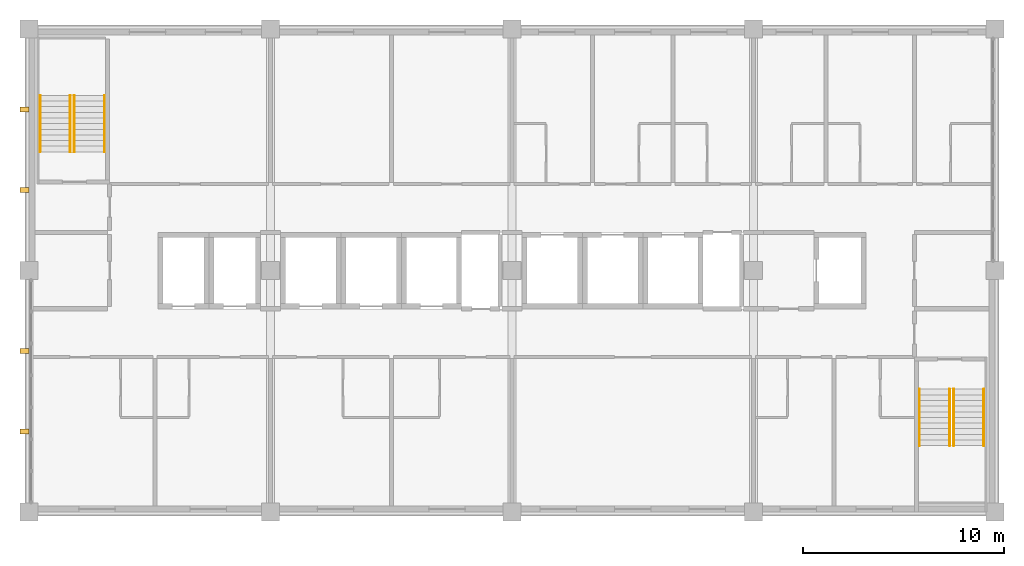
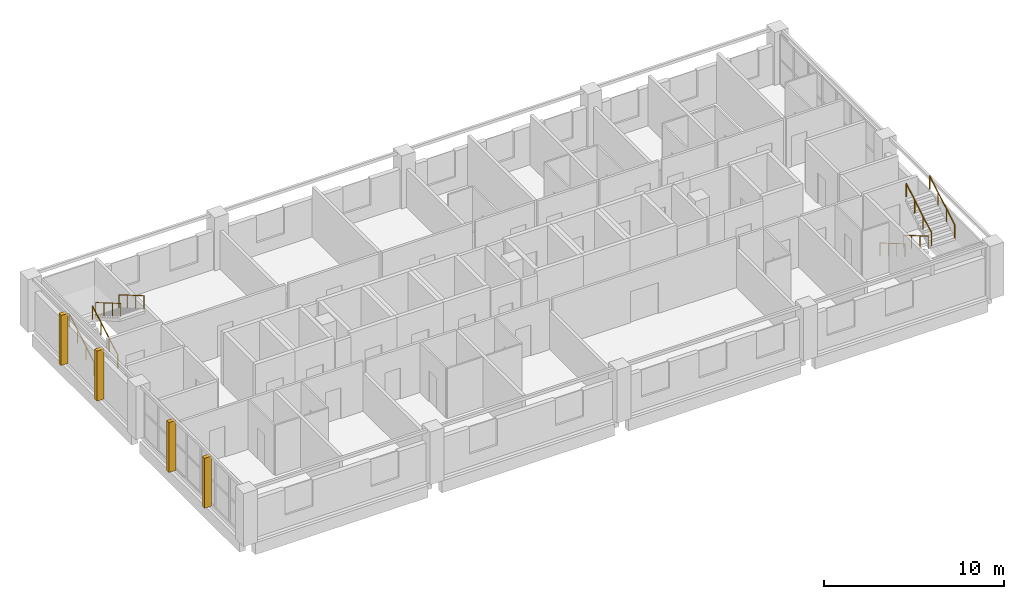
# One storey, part 11 of 11: 8 railings, 4 coverings.
"""IFC4 building model written with IfcOpenShell, lengths in metres."""

from ifc_helpers import new_model, si_unit, direction, frame, frame_2d, origin, origin_2d, place, context, subcontext, project, spatial, rectangle, circle, extrude, material, layer, layer_set, type_object, element, save


model = new_model("IFC4")

# Units and contexts
model_context = context("Model", 3, precision=1e-05, world=origin(), true_north=direction((0.0, 1.0)))
body_context = subcontext(model_context, "Body", "Model", "MODEL_VIEW")
ifc_project = project(units=[si_unit("LENGTHUNIT", "METRE"), si_unit("AREAUNIT", "SQUARE_METRE"), si_unit("VOLUMEUNIT", "CUBIC_METRE"), si_unit("PLANEANGLEUNIT", "RADIAN"), si_unit("MASSUNIT", "GRAM", prefix="KILO")], contexts=[model_context])

# Site, building, storey
site_placement = place(None, origin())
site = spatial("IfcSite", under=ifc_project, at=site_placement, CompositionType="ELEMENT")
building_placement = place(site_placement, origin())
building = spatial("IfcBuilding", under=site, at=building_placement, Name="Lilac Gate Convention Centre", CompositionType="ELEMENT")
storey_placement = place(building_placement, frame((0.0, 0.0, 31.800048828125)))
storey = spatial("IfcBuildingStorey", under=building, at=storey_placement, Name="L07", CompositionType="ELEMENT", Elevation=31.800048828125)

# Coverings
ifc_material_1 = material(Name="Concrete C40 precast", Category="concrete")
ifc_layer_1 = layer(ifc_material_1, 0.22998046875)
ifc_material_2 = material(Name="Terracotta glazed cladding", Category="masonry")
ifc_layer_2 = layer(ifc_material_2, 0.02001953125)
ifc_layer_set = layer_set([ifc_layer_1, ifc_layer_2], Name="Concrete C40 precast, Terracotta glazed cladding")
covering_type = type_object("IfcCoveringType", Name="Precast fin 250 x 450", PredefinedType="CLADDING", material=ifc_layer_set)
for number, where, z_axis, x_axis, name in (
    (1, (41.550048828125, 226.0, 0.0), (0.0, 0.0, 1.0), (1.0, 0.0, 0.0), "Precast fin west L07 226"),
    (2, (41.550048828125, 230.0, 0.0), (0.0, 0.0, 1.0), (1.0, 0.0, 0.0), "Precast fin west L07 230"),
    (3, (41.550048828125, 238.0, 0.0), (0.0, 0.0, 1.0), (1.0, 0.0, 0.0), "Precast fin west L07 238"),
    (4, (41.550048828125, 242.0, 0.0), (0.0, 0.0, 1.0), (1.0, 0.0, 0.0), "Precast fin west L07 242"),
):
    element("IfcCovering", number, at=place(storey_placement, frame(where, z_axis=z_axis, x_axis=x_axis)), inside=storey, type_object=covering_type, Name=name, PredefinedType="CLADDING", context=body_context, shape_type="SweptSolid", body=[
        extrude(rectangle(XDim=0.449951171875, YDim=0.25, at=frame_2d((0.22509765625, 0.0))), origin(), (0.0, 0.0, 1.0), 3.39990234375),
    ])

# Railings
ifc_material_3 = material(Name="Stainless steel 304", Category="steel")
railing_type = type_object("IfcRailingType", Name="Stair handrail", PredefinedType="HANDRAIL", material=ifc_material_3)
for number, where, name in (
    (5, (42.550048828125, 239.89990234375, 0.16357421875), "Handrail NW L07 flight 1"),
    (6, (44.050048828125, 239.89990234375, 0.16357421875), "Handrail NW L07 flight 1"),
):
    element("IfcRailing", number, at=place(storey_placement, frame(where)), inside=storey, type_object=railing_type, Name=name, PredefinedType="HANDRAIL", context=body_context, shape_type="SweptSolid", body=[
        extrude(circle(Radius=0.02392578125, at=origin_2d()), frame((0.0, 0.0, 0.8759765625), z_axis=(0.0, 0.863360870873, 0.504586966384), x_axis=(-1.0, 0.0, 0.0)), (0.0, 0.0, 1.0), 3.2431640625),
        extrude(circle(Radius=0.02099609375, at=origin_2d()), origin(), (0.0, 0.0, 1.0), 0.851806640625),
        extrude(circle(Radius=0.02099609375, at=origin_2d()), frame((0.0, 0.933349609375, 0.54541015625)), (0.0, 0.0, 1.0), 0.851806640625),
        extrude(circle(Radius=0.02099609375, at=origin_2d()), frame((0.0, 1.86669921875, 1.091064453125)), (0.0, 0.0, 1.0), 0.851806640625),
        extrude(circle(Radius=0.02099609375, at=origin_2d()), frame((0.0, 2.800048828125, 1.636474609375)), (0.0, 0.0, 1.0), 0.851806640625),
    ])
for number, where, name in (
    (7, (45.75, 242.699951171875, 1.963623046875), "Handrail NW L07 flight 2"),
    (8, (44.25, 242.699951171875, 1.963623046875), "Handrail NW L07 flight 2"),
):
    element("IfcRailing", number, at=place(storey_placement, frame(where)), inside=storey, type_object=railing_type, Name=name, PredefinedType="HANDRAIL", context=body_context, shape_type="SweptSolid", body=[
        extrude(circle(Radius=0.02392578125, at=origin_2d()), frame((0.0, 0.0, 0.8759765625), z_axis=(0.0, -0.863393664356, 0.504530851732), x_axis=(1.0, 0.0, 0.0)), (0.0, 0.0, 1.0), 3.2431640625),
        extrude(circle(Radius=0.02099609375, at=origin_2d()), origin(), (0.0, 0.0, 1.0), 0.851806640625),
        extrude(circle(Radius=0.02099609375, at=origin_2d()), frame((0.0, -0.933349609375, 0.54541015625)), (0.0, 0.0, 1.0), 0.851806640625),
        extrude(circle(Radius=0.02099609375, at=origin_2d()), frame((0.0, -1.86669921875, 1.0908203125)), (0.0, 0.0, 1.0), 0.851806640625),
        extrude(circle(Radius=0.02099609375, at=origin_2d()), frame((0.0, -2.800048828125, 1.63623046875)), (0.0, 0.0, 1.0), 0.851806640625),
    ])
for number, where, name in (
    (9, (87.75, 228.10009765625, 0.16357421875), "Handrail SE L07 flight 1"),
    (10, (86.25, 228.10009765625, 0.16357421875), "Handrail SE L07 flight 1"),
):
    element("IfcRailing", number, at=place(storey_placement, frame(where)), inside=storey, type_object=railing_type, Name=name, PredefinedType="HANDRAIL", context=body_context, shape_type="SweptSolid", body=[
        extrude(circle(Radius=0.02392578125, at=origin_2d()), frame((0.0, 0.0, 0.8759765625), z_axis=(0.0, -0.863360870873, 0.504586966384), x_axis=(1.0, 0.0, 0.0)), (0.0, 0.0, 1.0), 3.2431640625),
        extrude(circle(Radius=0.02099609375, at=origin_2d()), origin(), (0.0, 0.0, 1.0), 0.851806640625),
        extrude(circle(Radius=0.02099609375, at=origin_2d()), frame((0.0, -0.933349609375, 0.54541015625)), (0.0, 0.0, 1.0), 0.851806640625),
        extrude(circle(Radius=0.02099609375, at=origin_2d()), frame((0.0, -1.86669921875, 1.091064453125)), (0.0, 0.0, 1.0), 0.851806640625),
        extrude(circle(Radius=0.02099609375, at=origin_2d()), frame((0.0, -2.800048828125, 1.636474609375)), (0.0, 0.0, 1.0), 0.851806640625),
    ])
for number, where, name in (
    (11, (87.949951171875, 225.300048828125, 1.963623046875), "Handrail SE L07 flight 2"),
    (12, (89.449951171875, 225.300048828125, 1.963623046875), "Handrail SE L07 flight 2"),
):
    element("IfcRailing", number, at=place(storey_placement, frame(where)), inside=storey, type_object=railing_type, Name=name, PredefinedType="HANDRAIL", context=body_context, shape_type="SweptSolid", body=[
        extrude(circle(Radius=0.02392578125, at=origin_2d()), frame((0.0, 0.0, 0.8759765625), z_axis=(0.0, 0.863393664356, 0.504530851732), x_axis=(-1.0, 0.0, 0.0)), (0.0, 0.0, 1.0), 3.2431640625),
        extrude(circle(Radius=0.02099609375, at=origin_2d()), origin(), (0.0, 0.0, 1.0), 0.851806640625),
        extrude(circle(Radius=0.02099609375, at=origin_2d()), frame((0.0, 0.933349609375, 0.54541015625)), (0.0, 0.0, 1.0), 0.851806640625),
        extrude(circle(Radius=0.02099609375, at=origin_2d()), frame((0.0, 1.86669921875, 1.0908203125)), (0.0, 0.0, 1.0), 0.851806640625),
        extrude(circle(Radius=0.02099609375, at=origin_2d()), frame((0.0, 2.800048828125, 1.63623046875)), (0.0, 0.0, 1.0), 0.851806640625),
    ])

save(model, "model.ifc")
